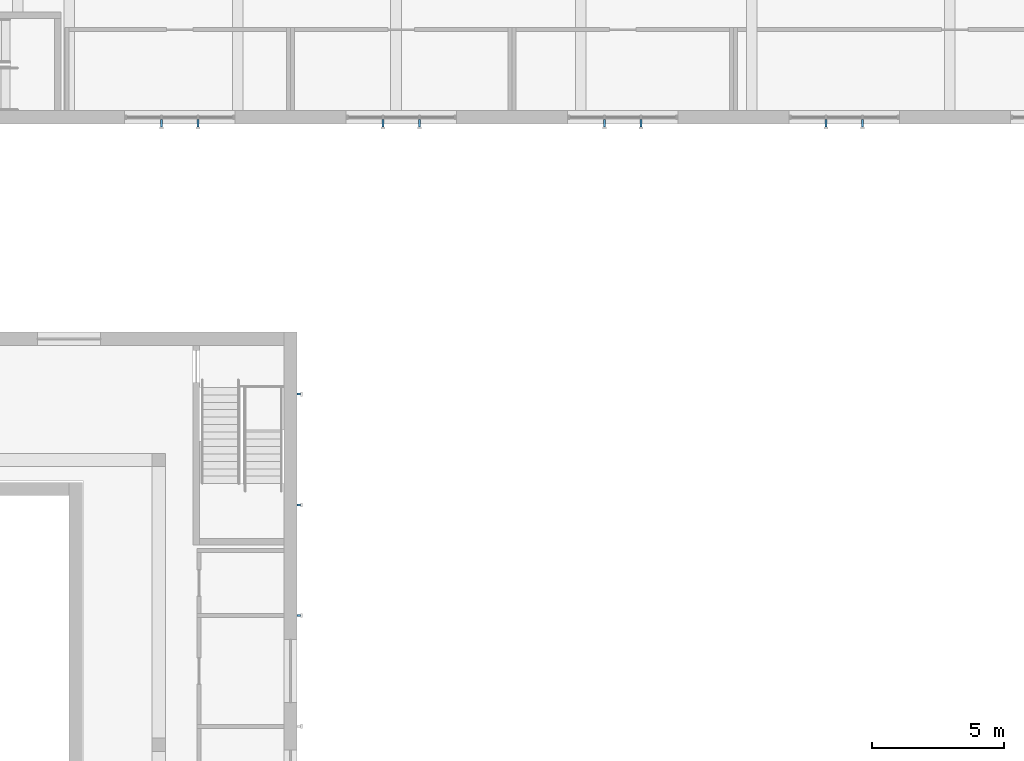
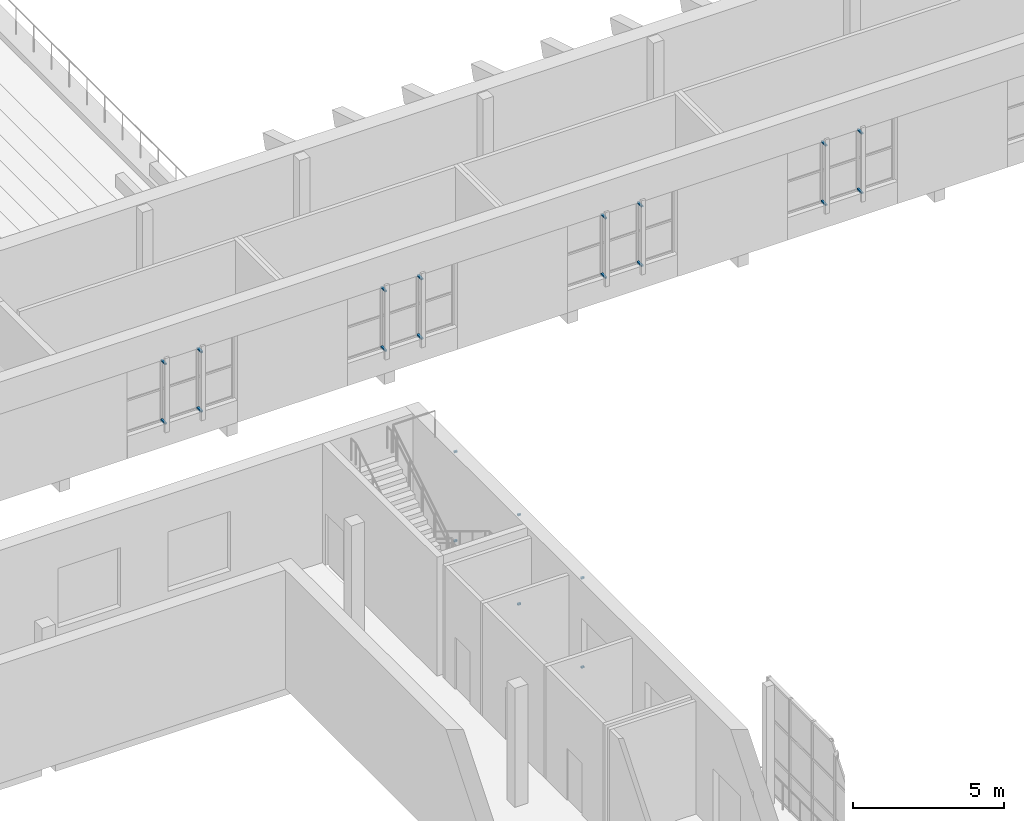
# One storey, part 91 of 127: 22 discrete accessories.
"""IFC4 building model written with IfcOpenShell, lengths in metres."""

from ifc_helpers import new_model, si_unit, direction, frame, origin, origin_2d, place, context, subcontext, project, spatial, rectangle, extrude, material, type_object, element, save


model = new_model("IFC4")

# Units and contexts
model_context = context("Model", 3, precision=1e-05, world=origin(), true_north=direction((0.0, 1.0)))
body_context = subcontext(model_context, "Body", "Model", "MODEL_VIEW")
ifc_project = project(units=[si_unit("LENGTHUNIT", "METRE"), si_unit("AREAUNIT", "SQUARE_METRE"), si_unit("VOLUMEUNIT", "CUBIC_METRE"), si_unit("PLANEANGLEUNIT", "RADIAN"), si_unit("MASSUNIT", "GRAM", prefix="KILO")], contexts=[model_context])

# Site, building, storey
site_placement = place(None, origin())
site = spatial("IfcSite", under=ifc_project, at=site_placement, CompositionType="ELEMENT")
building_placement = place(site_placement, origin())
building = spatial("IfcBuilding", under=site, at=building_placement, Name="Ljudholm Concert House", CompositionType="ELEMENT")
storey_placement = place(building_placement, frame((0.0, 0.0, 5.39990234375)))
storey = spatial("IfcBuildingStorey", under=building, at=storey_placement, Name="L01", CompositionType="ELEMENT", Elevation=5.39990234375)

# Discrete accessories
ifc_material_1 = material(Name="Stainless steel bracket", Category="steel")
discrete_accessory_type_1 = type_object("IfcDiscreteAccessoryType", Name="BRACKET 120", PredefinedType="BRACKET", material=ifc_material_1)
for number, where, z_axis, x_axis, name in (
    (1, (46.31005859375, 35.5, 0.570068359375), (0.0, 0.0, 1.0), (1.0, 0.0, 0.0), "Fin bracket"),
    (2, (46.31005859375, 35.5, 4.170166015625), (0.0, 0.0, 1.0), (1.0, 0.0, 0.0), "Fin bracket"),
    (3, (46.31005859375, 39.699951171875, 0.570068359375), (0.0, 0.0, 1.0), (1.0, 0.0, 0.0), "Fin bracket"),
    (4, (46.31005859375, 39.699951171875, 4.170166015625), (0.0, 0.0, 1.0), (1.0, 0.0, 0.0), "Fin bracket"),
    (5, (46.31005859375, 43.89990234375, 0.570068359375), (0.0, 0.0, 1.0), (1.0, 0.0, 0.0), "Fin bracket"),
    (6, (46.31005859375, 43.89990234375, 4.170166015625), (0.0, 0.0, 1.0), (1.0, 0.0, 0.0), "Fin bracket"),
):
    element("IfcDiscreteAccessory", number, at=place(storey_placement, frame(where, z_axis=z_axis, x_axis=x_axis)), inside=storey, type_object=discrete_accessory_type_1, Name=name, PredefinedType="BRACKET", context=body_context, shape_type="SweptSolid", body=[
        extrude(rectangle(XDim=0.1201171875, YDim=0.080078125, at=origin_2d()), origin(), (0.0, 0.0, 1.0), 0.06005859375),
    ])
ifc_material_2 = material(Name="Stainless steel bracket", Category="steel")
discrete_accessory_type_2 = type_object("IfcDiscreteAccessoryType", Name="BRACKET 290", PredefinedType="BRACKET", material=ifc_material_2)
for number, where, z_axis, x_axis, name in (
    (7, (41.110107421875, 54.175048828125, 0.969970703125), (0.0, 0.0, 1.0), (0.0, -1.0, 0.0), "Fin bracket"),
    (8, (41.110107421875, 54.175048828125, 3.3701171875), (0.0, 0.0, 1.0), (0.0, -1.0, 0.0), "Fin bracket"),
    (9, (42.489990234375, 54.175048828125, 0.969970703125), (0.0, 0.0, 1.0), (0.0, -1.0, 0.0), "Fin bracket"),
    (10, (42.489990234375, 54.175048828125, 3.3701171875), (0.0, 0.0, 1.0), (0.0, -1.0, 0.0), "Fin bracket"),
    (11, (49.510009765625, 54.175048828125, 0.969970703125), (0.0, 0.0, 1.0), (0.0, -1.0, 0.0), "Fin bracket"),
    (12, (49.510009765625, 54.175048828125, 3.3701171875), (0.0, 0.0, 1.0), (0.0, -1.0, 0.0), "Fin bracket"),
    (13, (50.889892578125, 54.175048828125, 0.969970703125), (0.0, 0.0, 1.0), (0.0, -1.0, 0.0), "Fin bracket"),
    (14, (50.889892578125, 54.175048828125, 3.3701171875), (0.0, 0.0, 1.0), (0.0, -1.0, 0.0), "Fin bracket"),
    (15, (57.909912109375, 54.175048828125, 0.969970703125), (0.0, 0.0, 1.0), (0.0, -1.0, 0.0), "Fin bracket"),
    (16, (57.909912109375, 54.175048828125, 3.3701171875), (0.0, 0.0, 1.0), (0.0, -1.0, 0.0), "Fin bracket"),
    (17, (59.2900390625, 54.175048828125, 0.969970703125), (0.0, 0.0, 1.0), (0.0, -1.0, 0.0), "Fin bracket"),
    (18, (59.2900390625, 54.175048828125, 3.3701171875), (0.0, 0.0, 1.0), (0.0, -1.0, 0.0), "Fin bracket"),
    (19, (66.31005859375, 54.175048828125, 0.969970703125), (0.0, 0.0, 1.0), (0.0, -1.0, 0.0), "Fin bracket"),
    (20, (66.31005859375, 54.175048828125, 3.3701171875), (0.0, 0.0, 1.0), (0.0, -1.0, 0.0), "Fin bracket"),
    (21, (67.68994140625, 54.175048828125, 0.969970703125), (0.0, 0.0, 1.0), (0.0, -1.0, 0.0), "Fin bracket"),
    (22, (67.68994140625, 54.175048828125, 3.3701171875), (0.0, 0.0, 1.0), (0.0, -1.0, 0.0), "Fin bracket"),
):
    element("IfcDiscreteAccessory", number, at=place(storey_placement, frame(where, z_axis=z_axis, x_axis=x_axis)), inside=storey, type_object=discrete_accessory_type_2, Name=name, PredefinedType="BRACKET", context=body_context, shape_type="SweptSolid", body=[
        extrude(rectangle(XDim=0.2900390625, YDim=0.080078125, at=origin_2d()), origin(), (0.0, 0.0, 1.0), 0.06005859375),
    ])

save(model, "model.ifc")
